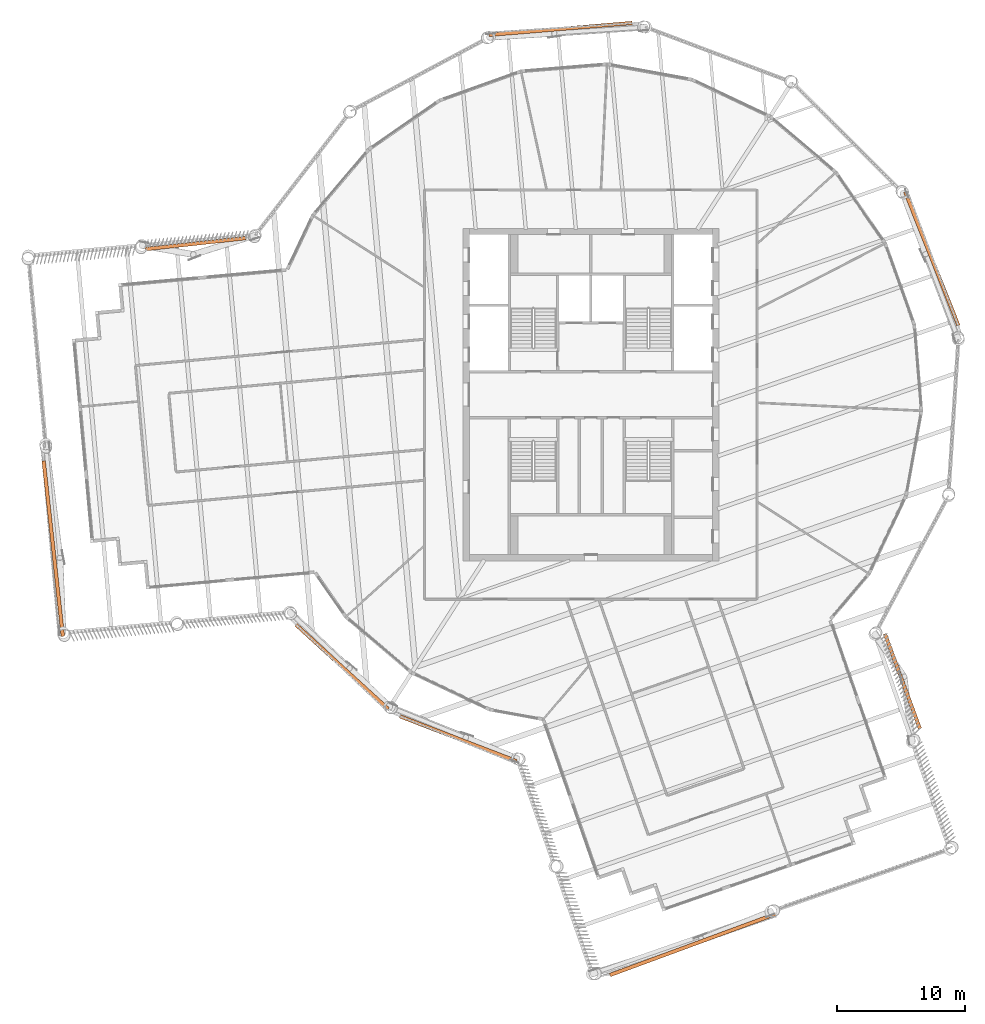
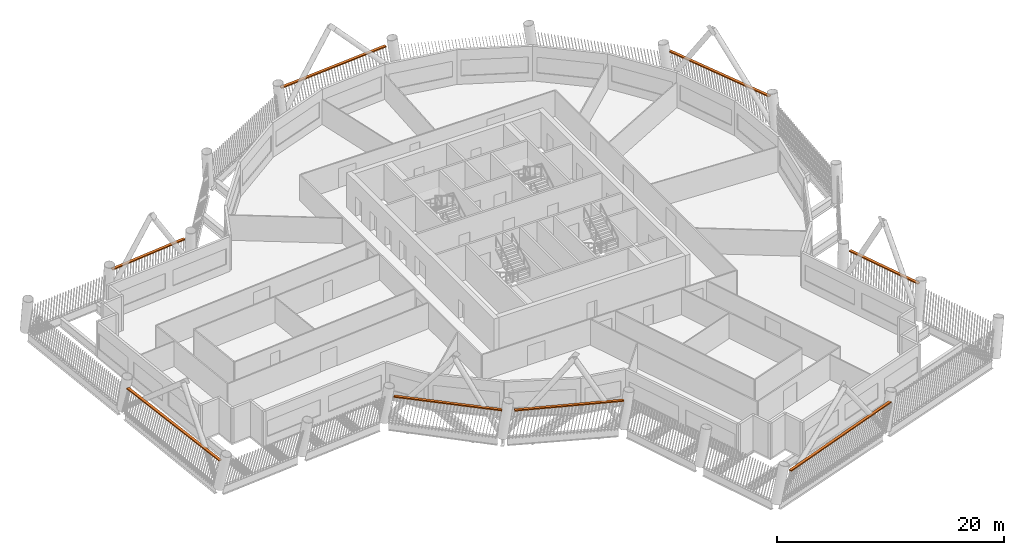
# One storey, part 23 of 23: 8 proxies.
"""IFC4 building model written with IfcOpenShell, lengths in metres."""

from ifc_helpers import new_model, si_unit, direction, frame, origin, origin_2d, place, context, subcontext, project, spatial, rectangle, extrude, material, type_object, element, save


model = new_model("IFC4")

# Units and contexts
model_context = context("Model", 3, precision=1e-05, world=origin(), true_north=direction((0.0, 1.0)))
body_context = subcontext(model_context, "Body", "Model", "MODEL_VIEW")
ifc_project = project(units=[si_unit("LENGTHUNIT", "METRE"), si_unit("AREAUNIT", "SQUARE_METRE"), si_unit("VOLUMEUNIT", "CUBIC_METRE"), si_unit("PLANEANGLEUNIT", "RADIAN"), si_unit("MASSUNIT", "GRAM", prefix="KILO")], contexts=[model_context])

# Site, building, storey
site_placement = place(None, origin())
site = spatial("IfcSite", under=ifc_project, at=site_placement, CompositionType="ELEMENT")
building_placement = place(site_placement, origin())
building = spatial("IfcBuilding", under=site, at=building_placement, Name="Tarsis Ring Headquarters", CompositionType="ELEMENT")
storey_placement = place(building_placement, frame((0.0, 0.0, 308.0)))
storey = spatial("IfcBuildingStorey", under=building, at=storey_placement, Name="L72", CompositionType="ELEMENT", Elevation=308.0)

# Proxies
ifc_material = material(Name="Structural steel S355", Category="steel")
building_element_proxy_type = type_object("IfcBuildingElementProxyType", Name="Screen bracket plate", PredefinedType="USERDEFINED", material=ifc_material)
proxy_1_placement = place(storey_placement, frame((-10.37060546875, -26.91064453125, 2.9677734375), z_axis=(0.0, 0.0, 1.0), x_axis=(0.933110405005, -0.359590005521, 0.0)))
element("IfcBuildingElementProxy", 1, at=proxy_1_placement, inside=storey, type_object=building_element_proxy_type, Name="Screen bracket L72-00", ObjectType="Bracket", PredefinedType="USERDEFINED", context=body_context, shape_type="SweptSolid", body=[
    extrude(rectangle(XDim=9.771728515625, YDim=0.280029296875, at=origin_2d()), origin(), (0.0, 0.0, 1.0), 0.1201171875),
])
proxy_2_placement = place(storey_placement, frame((7.9658203125, -42.993896484375, 2.9677734375), z_axis=(0.0, 0.0, 1.0), x_axis=(0.938251724417, 0.345953322904, 0.0)))
element("IfcBuildingElementProxy", 2, at=proxy_2_placement, inside=storey, type_object=building_element_proxy_type, Name="Screen bracket L72-03", ObjectType="Bracket", PredefinedType="USERDEFINED", context=body_context, shape_type="SweptSolid", body=[
    extrude(rectangle(XDim=13.800048828125, YDim=0.280029296875, at=origin_2d()), origin(), (0.0, 0.0, 1.0), 0.1201171875),
])
proxy_3_placement = place(storey_placement, frame((24.35009765625, -22.40625, 2.9677734375), z_axis=(0.0, 0.0, 1.0), x_axis=(-0.345953241026, 0.938251754607, 0.0)))
element("IfcBuildingElementProxy", 3, at=proxy_3_placement, inside=storey, type_object=building_element_proxy_type, Name="Screen bracket L72-06", ObjectType="Bracket", PredefinedType="USERDEFINED", context=body_context, shape_type="SweptSolid", body=[
    extrude(rectangle(XDim=7.90234375, YDim=0.280029296875, at=origin_2d()), origin(), (0.0, 0.0, 1.0), 0.1201171875),
])
for number, where, z_axis, x_axis, name in (
    (4, (26.65234375, 10.620361328125, 2.9677734375), (0.0, 0.0, 1.0), (-0.370172561681, 0.928963010339, 0.0), "Screen bracket L72-09"),
    (5, (-2.377685546875, 28.591796875, 2.9677734375), (0.0, 0.0, 1.0), (-0.99656009215, -0.082873293248, 0.0), "Screen bracket L72-12"),
):
    element("IfcBuildingElementProxy", number, at=place(storey_placement, frame(where, z_axis=z_axis, x_axis=x_axis)), inside=storey, type_object=building_element_proxy_type, Name=name, ObjectType="Bracket", PredefinedType="USERDEFINED", context=body_context, shape_type="SweptSolid", body=[
        extrude(rectangle(XDim=11.248779296875, YDim=0.280029296875, at=origin_2d()), origin(), (0.0, 0.0, 1.0), 0.1201171875),
    ])
proxy_4_placement = place(storey_placement, frame((-30.912841796875, 11.804931640625, 2.9677734375), z_axis=(0.0, 0.0, 1.0), x_axis=(-0.994075316348, -0.108693447034, 0.0)))
element("IfcBuildingElementProxy", 6, at=proxy_4_placement, inside=storey, type_object=building_element_proxy_type, Name="Screen bracket L72-15", ObjectType="Bracket", PredefinedType="USERDEFINED", context=body_context, shape_type="SweptSolid", body=[
    extrude(rectangle(XDim=7.90234375, YDim=0.280029296875, at=origin_2d()), origin(), (0.0, 0.0, 1.0), 0.1201171875),
])
proxy_5_placement = place(storey_placement, frame((-42.035400390625, -12.040283203125, 2.9677734375), z_axis=(0.0, 0.0, 1.0), x_axis=(0.108693447034, -0.994075316348, 0.0)))
element("IfcBuildingElementProxy", 7, at=proxy_5_placement, inside=storey, type_object=building_element_proxy_type, Name="Screen bracket L72-18", ObjectType="Bracket", PredefinedType="USERDEFINED", context=body_context, shape_type="SweptSolid", body=[
    extrude(rectangle(XDim=13.800048828125, YDim=0.280029296875, at=origin_2d()), origin(), (0.0, 0.0, 1.0), 0.1201171875),
])
proxy_6_placement = place(storey_placement, frame((-19.46337890625, -21.28173828125, 2.9677734375), z_axis=(0.0, 0.0, 1.0), x_axis=(0.737925729086, -0.674881929194, 0.0)))
element("IfcBuildingElementProxy", 8, at=proxy_6_placement, inside=storey, type_object=building_element_proxy_type, Name="Screen bracket L72-21", ObjectType="Bracket", PredefinedType="USERDEFINED", context=body_context, shape_type="SweptSolid", body=[
    extrude(rectangle(XDim=9.771728515625, YDim=0.280029296875, at=origin_2d()), origin(), (0.0, 0.0, 1.0), 0.1201171875),
])

save(model, "model.ifc")
